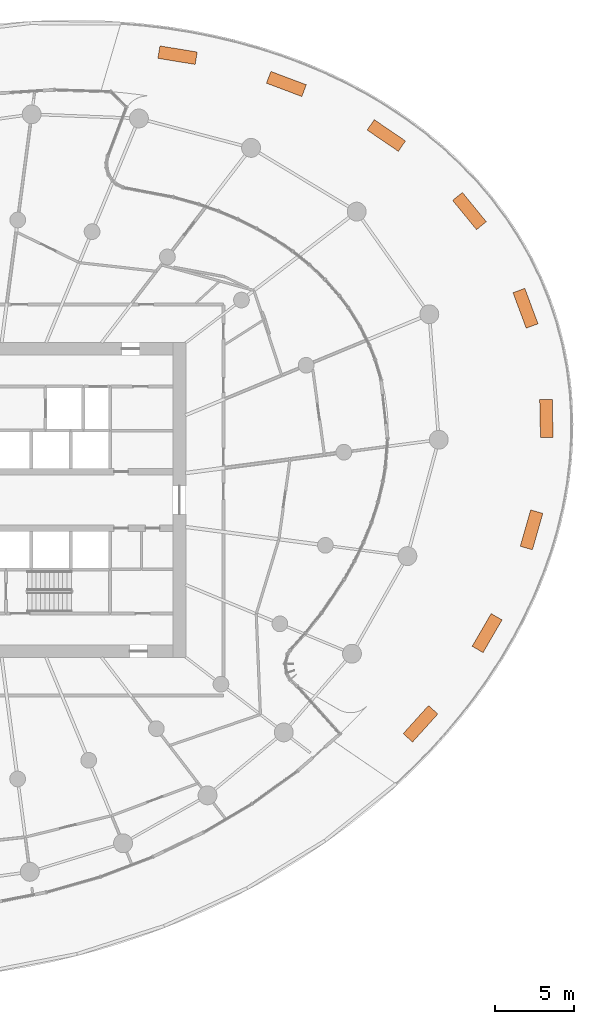
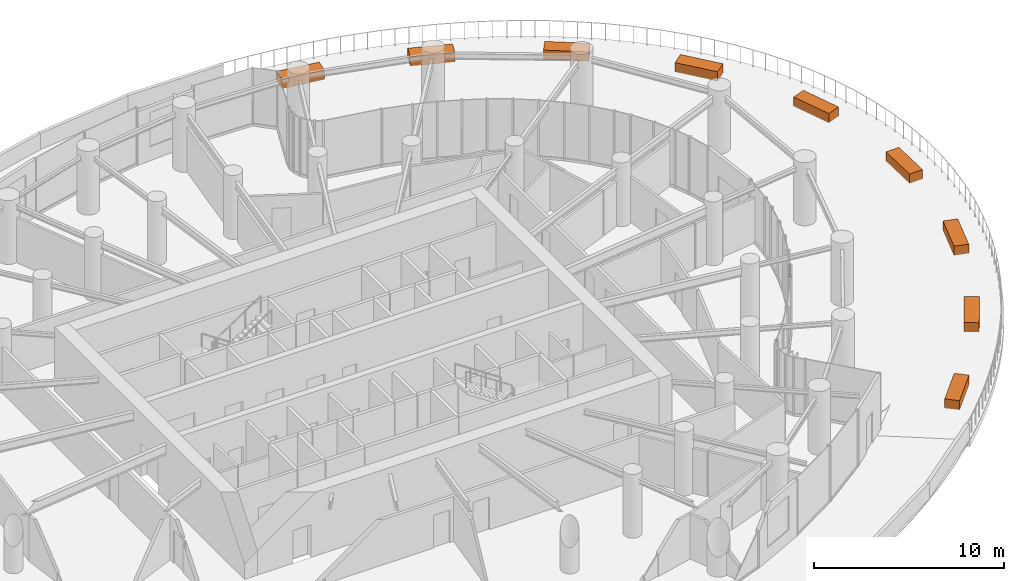
# One storey, part 24 of 24: 9 proxies.
"""IFC4 building model written with IfcOpenShell, lengths in metres."""

from ifc_helpers import new_model, si_unit, direction, frame, origin, origin_2d, place, context, subcontext, project, spatial, rectangle, extrude, source, transform, mapped, element, save


model = new_model("IFC4")

# Units and contexts
model_context = context("Model", 3, precision=1e-05, world=origin(), true_north=direction((0.0, 1.0)))
body_context = subcontext(model_context, "Body", "Model", "MODEL_VIEW")
ifc_project = project(units=[si_unit("LENGTHUNIT", "METRE"), si_unit("AREAUNIT", "SQUARE_METRE"), si_unit("VOLUMEUNIT", "CUBIC_METRE"), si_unit("PLANEANGLEUNIT", "RADIAN"), si_unit("MASSUNIT", "GRAM", prefix="KILO")], contexts=[model_context])

# Site, building, storey
site_placement = place(None, origin())
site = spatial("IfcSite", under=ifc_project, at=site_placement, CompositionType="ELEMENT")
building_placement = place(site_placement, origin())
building = spatial("IfcBuilding", under=site, at=building_placement, Name="Spindrift Exchange Tower", CompositionType="ELEMENT")
storey_placement = place(building_placement, frame((0.0, 0.0, 79.800048828125)))
storey = spatial("IfcBuildingStorey", under=building, at=storey_placement, Name="L18", CompositionType="ELEMENT", Elevation=79.800048828125)

# Proxies
shared_shape = source(origin(), body_context, "Body", "SweptSolid", [
    extrude(rectangle(XDim=2.39990234375, YDim=0.800048828125, at=origin_2d()), origin(), (0.0, 0.0, 1.0), 0.60009765625),
])
for number, where, z_axis, x_axis, name in (
    (1, (64.480712890625, 76.2275390625, 0.0), (0.0, 0.0, 1.0), (0.986836529929, -0.161720942359, 0.0), "L18 PLANTER 01"),
    (2, (71.384521484375, 74.39990234375, 0.0), (0.0, 0.0, 1.0), (0.935698579871, -0.352800464324, 0.0), "L18 PLANTER 02"),
    (3, (77.727783203125, 71.1298828125, 0.0), (0.0, 0.0, 1.0), (0.826250712732, -0.563302547224, 0.0), "L18 PLANTER 03"),
    (4, (83.00341796875, 66.335693359375, 0.0), (0.0, 0.0, 1.0), (0.632912096232, -0.774223661769, 0.0), "L18 PLANTER 04"),
    (5, (86.561279296875, 60.16748046875, 0.0), (0.0, 0.0, 1.0), (0.348467349744, -0.937320919516, 0.0), "L18 PLANTER 05"),
    (6, (87.884765625, 53.172119140625, 0.0), (0.0, 0.0, 1.0), (0.020846447731, -0.999782689197, 0.0), "L18 PLANTER 06"),
    (7, (86.943115234375, 46.10791015625, 0.0), (0.0, 0.0, 1.0), (-0.274518131286, -0.961581923496, 0.0), "L18 PLANTER 07"),
    (8, (84.123779296875, 39.5537109375, 0.0), (0.0, 0.0, 1.0), (-0.502973184127, -0.864302016687, 0.0), "L18 PLANTER 08"),
    (9, (79.898193359375, 33.79736328125, 0.0), (0.0, 0.0, 1.0), (-0.669392565314, -0.742908872947, 0.0), "L18 PLANTER 09"),
):
    element("IfcBuildingElementProxy", number, at=place(storey_placement, frame(where, z_axis=z_axis, x_axis=x_axis)), inside=storey, Name=name, ObjectType="PLANTER", PredefinedType="USERDEFINED", context=body_context, shape_type="MappedRepresentation", body=[
        mapped(shared_shape, transform((0.0, 0.0, 0.0), scale=1.0)),
    ])

save(model, "model.ifc")
